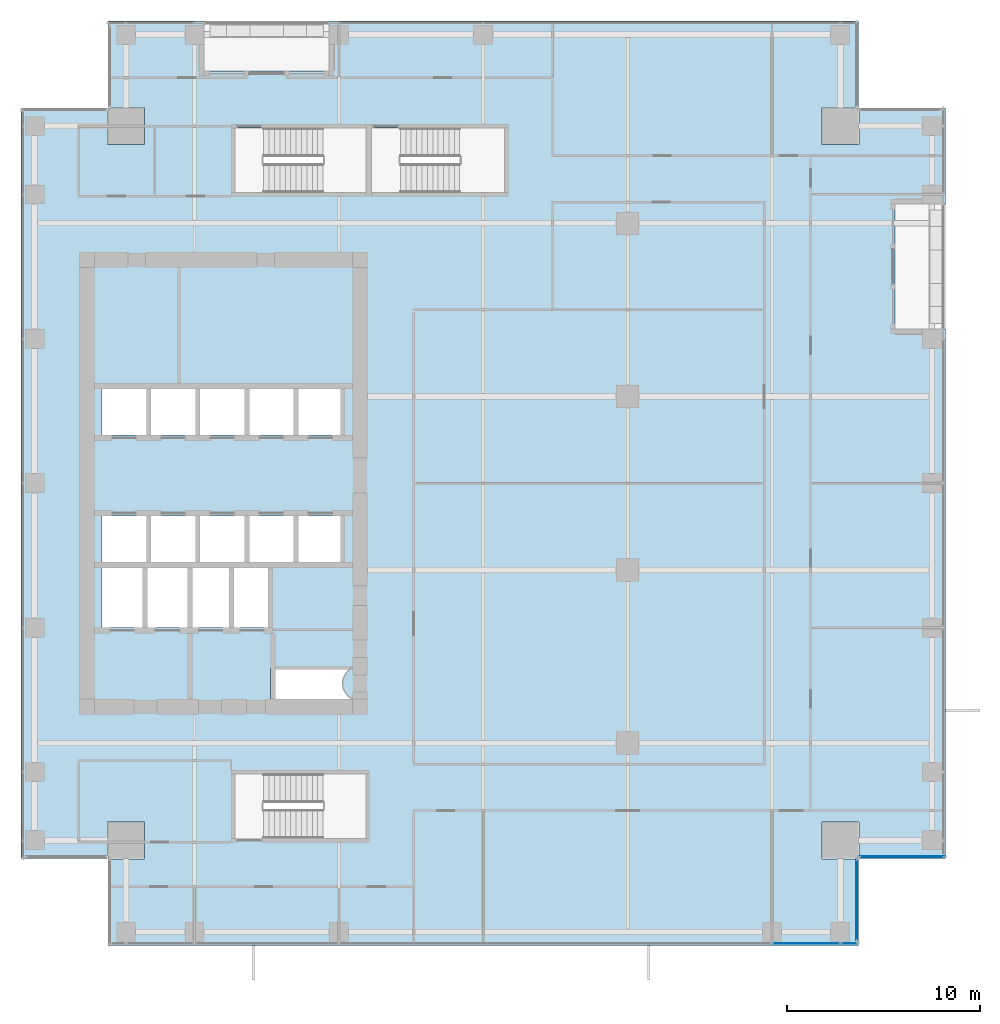
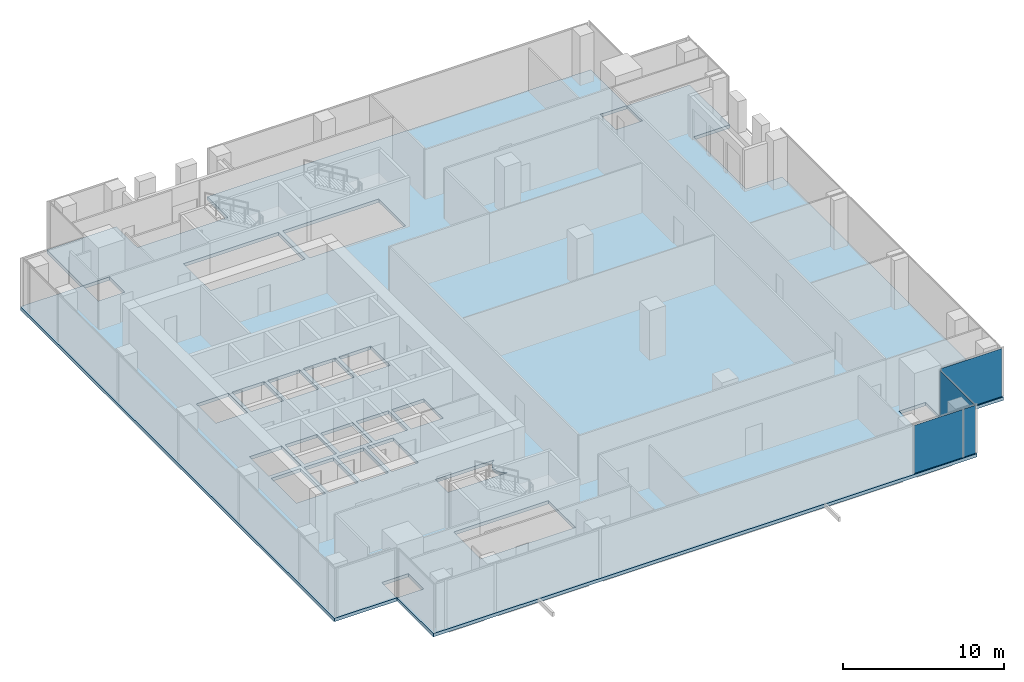
# One storey, part 30 of 40: 4 plates, 1 slab, 3 elements without a shape of their own.
"""IFC4 building model written with IfcOpenShell, lengths in metres."""

from ifc_helpers import new_model, si_unit, direction, frame, origin, origin_2d, place, context, subcontext, project, spatial, polyline, rectangle, outline, extrude, source, transform, mapped, material, layer, layer_set, type_object, element, aggregate, save


model = new_model("IFC4")

# Units and contexts
model_context = context("Model", 3, precision=1e-05, world=origin(), true_north=direction((0.0, 1.0)))
body_context = subcontext(model_context, "Body", "Model", "MODEL_VIEW")
ifc_project = project(units=[si_unit("LENGTHUNIT", "METRE"), si_unit("AREAUNIT", "SQUARE_METRE"), si_unit("VOLUMEUNIT", "CUBIC_METRE"), si_unit("PLANEANGLEUNIT", "RADIAN"), si_unit("MASSUNIT", "GRAM", prefix="KILO")], contexts=[model_context])

# Site, building, storey
site_placement = place(None, origin())
site = spatial("IfcSite", under=ifc_project, at=site_placement, CompositionType="ELEMENT")
building_placement = place(site_placement, origin())
building = spatial("IfcBuilding", under=site, at=building_placement, Name="Khomas Fold Tower", CompositionType="ELEMENT")
storey_placement = place(building_placement, frame((0.0, 0.0, 192.699951171875)))
storey = spatial("IfcBuildingStorey", under=building, at=storey_placement, Name="L42", CompositionType="ELEMENT", Elevation=192.699951171875)

# Slab
ifc_material_1 = material(Name="Concrete C40/50", Category="concrete")
ifc_layer_1 = layer(ifc_material_1, 0.25)
ifc_layer_set_1 = layer_set([ifc_layer_1], Name="Concrete C40/50")
slab_type = type_object("IfcSlabType", Name="RC floor slab 250", PredefinedType="FLOOR", material=ifc_layer_set_1)
shared_shape_1 = source(origin(), body_context, "Body", "SweptSolid", [
    extrude(outline(polyline([(3.0, 7.5), (7.4951171875, 7.5), (7.4951171875, 9.405029296875), (9.405029296875, 9.405029296875), (9.405029296875, 7.4951171875), (7.5, 7.4951171875), (7.5, 3.0), (46.5, 3.0), (46.5, 7.4951171875), (44.594970703125, 7.4951171875), (44.594970703125, 9.405029296875), (46.5048828125, 9.405029296875), (46.5048828125, 7.5), (51.0, 7.5), (51.0, 35.0), (48.39990234375, 35.0), (48.39990234375, 41.5), (51.0, 41.5), (51.0, 46.5), (46.5048828125, 46.5), (46.5048828125, 44.594970703125), (44.594970703125, 44.594970703125), (44.594970703125, 46.5048828125), (46.5, 46.5048828125), (46.5, 51.0), (19.0, 51.0), (19.0, 48.39990234375), (12.5, 48.39990234375), (12.5, 51.0), (7.5, 51.0), (7.5, 46.5048828125), (9.405029296875, 46.5048828125), (9.405029296875, 44.594970703125), (7.4951171875, 44.594970703125), (7.4951171875, 46.5), (3.0, 46.5), (3.0, 7.5)]), holes=[polyline([(7.199951171875, 19.5), (7.199951171875, 22.60009765625), (9.300048828125, 22.60009765625), (9.300048828125, 19.5), (7.199951171875, 19.5)]), polyline([(7.199951171875, 22.89990234375), (7.199951171875, 25.300048828125), (9.5, 25.300048828125), (9.5, 22.89990234375), (7.199951171875, 22.89990234375)]), polyline([(7.199951171875, 29.5), (7.199951171875, 31.89990234375), (9.5, 31.89990234375), (9.5, 29.5), (7.199951171875, 29.5)]), polyline([(9.550048828125, 19.5), (9.550048828125, 22.60009765625), (11.64990234375, 22.60009765625), (11.64990234375, 19.5), (9.550048828125, 19.5)]), polyline([(9.75, 22.89990234375), (9.75, 25.300048828125), (12.050048828125, 25.300048828125), (12.050048828125, 22.89990234375), (9.75, 22.89990234375)]), polyline([(9.75, 29.5), (9.75, 31.89990234375), (12.050048828125, 31.89990234375), (12.050048828125, 29.5), (9.75, 29.5)]), polyline([(11.89990234375, 19.5), (11.89990234375, 22.60009765625), (13.800048828125, 22.60009765625), (13.800048828125, 19.5), (11.89990234375, 19.5)]), polyline([(12.300048828125, 22.89990234375), (12.300048828125, 25.300048828125), (14.60009765625, 25.300048828125), (14.60009765625, 22.89990234375), (12.300048828125, 22.89990234375)]), polyline([(12.300048828125, 29.5), (12.300048828125, 31.89990234375), (14.60009765625, 31.89990234375), (14.60009765625, 29.5), (12.300048828125, 29.5)]), polyline([(14.050048828125, 19.5), (14.050048828125, 22.60009765625), (15.949951171875, 22.60009765625), (15.949951171875, 19.5), (14.050048828125, 19.5)]), polyline([(14.10009765625, 8.550048828125), (14.10009765625, 11.89990234375), (20.89990234375, 11.89990234375), (20.89990234375, 8.550048828125), (14.10009765625, 8.550048828125)]), polyline([(14.10009765625, 42.10009765625), (14.10009765625, 45.449951171875), (20.89990234375, 45.449951171875), (20.89990234375, 42.10009765625), (14.10009765625, 42.10009765625)]), polyline([(14.85009765625, 22.89990234375), (14.85009765625, 25.300048828125), (17.14990234375, 25.300048828125), (17.14990234375, 22.89990234375), (14.85009765625, 22.89990234375)]), polyline([(14.85009765625, 29.5), (14.85009765625, 31.89990234375), (17.14990234375, 31.89990234375), (17.14990234375, 29.5), (14.85009765625, 29.5)]), polyline([(15.949951171875, 15.800048828125), (15.949951171875, 17.39990234375), (20.18896484375, 17.39990234375), (20.17578125, 17.393798828125), (20.10009765625, 17.348388671875), (20.029052734375, 17.295654296875), (19.963623046875, 17.236328125), (19.904296875, 17.1708984375), (19.851806640625, 17.10009765625), (19.806396484375, 17.0244140625), (19.7685546875, 16.9443359375), (19.73876953125, 16.861328125), (19.71728515625, 16.775634765625), (19.704345703125, 16.688232421875), (19.699951171875, 16.60009765625), (19.704345703125, 16.51171875), (19.71728515625, 16.42431640625), (19.73876953125, 16.338623046875), (19.7685546875, 16.255615234375), (19.806396484375, 16.17578125), (19.851806640625, 16.10009765625), (19.904296875, 16.029052734375), (19.963623046875, 15.963623046875), (20.029052734375, 15.904296875), (20.10009765625, 15.851806640625), (20.17578125, 15.806396484375), (20.18896484375, 15.800048828125), (15.949951171875, 15.800048828125)]), polyline([(17.39990234375, 22.89990234375), (17.39990234375, 25.300048828125), (19.699951171875, 25.300048828125), (19.699951171875, 22.89990234375), (17.39990234375, 22.89990234375)]), polyline([(17.39990234375, 29.5), (17.39990234375, 31.89990234375), (19.699951171875, 31.89990234375), (19.699951171875, 29.5), (17.39990234375, 29.5)]), polyline([(21.199951171875, 42.10009765625), (21.199951171875, 45.449951171875), (28.10009765625, 45.449951171875), (28.10009765625, 42.10009765625), (21.199951171875, 42.10009765625)])]), origin(), (0.0, 0.0, 1.0), 0.25),
])
slab_placement = place(storey_placement, frame((0.0, 0.0, -0.25)))
element("IfcSlab", 1, at=slab_placement, inside=storey, type_object=slab_type, Name="S-L42", PredefinedType="FLOOR", context=body_context, shape_type="MappedRepresentation", body=[
    mapped(shared_shape_1, transform((0.0, 0.0, 0.0))),
])

# Curtain wall, plate
ifc_material_2 = material(Name="Aluminium framed double glazing", Category="aluminium")
curtain_wall_type = type_object("IfcCurtainWallType", Name="SK-Unitised clear-glass wall, office floors CW2", PredefinedType="NOTDEFINED", material=ifc_material_2)
curtain_wall_1_placement = place(storey_placement, origin())
curtain_wall_1 = element("IfcCurtainWall", 2, at=curtain_wall_1_placement, inside=storey, type_object=curtain_wall_type, Name="CW2 corner return L42 02", PredefinedType="NOTDEFINED")
ifc_material_3 = material(Name="Clear double glazed unit")
ifc_layer_2 = layer(ifc_material_3, 0.030029296875)
ifc_layer_set_2 = layer_set([ifc_layer_2], Name="Clear double glazed unit")
plate_type = type_object("IfcPlateType", Name="SK-Unitised clear-glass wall, office floors glass panel CW2-P", PredefinedType="CURTAIN_PANEL", material=ifc_layer_set_2)
shared_shape_2 = source(origin(), body_context, "Body", "SweptSolid", [
    extrude(rectangle(XDim=4.3798828125, YDim=0.030029296875, at=origin_2d()), origin(), (0.0, 0.0, 1.0), 3.639892578125),
])
plate_1_placement = place(storey_placement, frame((48.75, 7.60009765625, 0.0), z_axis=(0.0, 0.0, 1.0), x_axis=(1.0, 0.0, 0.0)))
plate_1 = element("IfcPlate", 3, at=plate_1_placement, type_object=plate_type, Name="CW2 glass panel 1", PredefinedType="CURTAIN_PANEL", context=body_context, shape_type="MappedRepresentation", body=[
    mapped(shared_shape_2, transform((0.0, 0.0, 0.0))),
])
aggregate(curtain_wall_1, [plate_1])

curtain_wall_2_placement = place(storey_placement, origin())
curtain_wall_2 = element("IfcCurtainWall", 4, at=curtain_wall_2_placement, inside=storey, type_object=curtain_wall_type, Name="CW2 run L42 00-0", PredefinedType="NOTDEFINED")
shared_shape_3 = source(origin(), body_context, "Body", "SweptSolid", [
    extrude(rectangle(XDim=3.489990234375, YDim=0.030029296875, at=origin_2d()), origin(), (0.0, 0.0, 1.0), 3.639892578125),
])
plate_2_placement = place(storey_placement, frame((43.77490234375, 3.10009765625, 0.0), z_axis=(0.0, 0.0, 1.0), x_axis=(1.0, 0.0, 0.0)))
plate_2 = element("IfcPlate", 5, at=plate_2_placement, type_object=plate_type, Name="CW2 glass panel 5", PredefinedType="CURTAIN_PANEL", context=body_context, shape_type="MappedRepresentation", body=[
    mapped(shared_shape_3, transform((0.0, 0.0, 0.0))),
])

curtain_wall_3_placement = place(storey_placement, origin())
curtain_wall_3 = element("IfcCurtainWall", 6, at=curtain_wall_3_placement, inside=storey, type_object=curtain_wall_type, Name="CW2 corner return L42 01", PredefinedType="NOTDEFINED")
shared_shape_4 = source(origin(), body_context, "Body", "SweptSolid", [
    extrude(rectangle(XDim=4.179931640625, YDim=0.030029296875, at=origin_2d()), origin(), (0.0, 0.0, 1.0), 3.639892578125),
])
plate_3_placement = place(storey_placement, frame((46.39990234375, 5.35009765625, 0.0), z_axis=(0.0, 0.0, 1.0), x_axis=(0.0, 1.0, 0.0)))
plate_3 = element("IfcPlate", 7, at=plate_3_placement, type_object=plate_type, Name="CW2 glass panel 1", PredefinedType="CURTAIN_PANEL", context=body_context, shape_type="MappedRepresentation", body=[
    mapped(shared_shape_4, transform((0.0, 0.0, 0.0))),
])
aggregate(curtain_wall_3, [plate_3])

# Plate
shared_shape_5 = source(origin(), body_context, "Body", "SweptSolid", [
    extrude(rectangle(XDim=0.860107421875, YDim=0.030029296875, at=origin_2d()), origin(), (0.0, 0.0, 1.0), 3.639892578125),
])
plate_4_placement = place(storey_placement, frame((46.010009765625, 3.10009765625, 0.0), z_axis=(0.0, 0.0, 1.0), x_axis=(1.0, 0.0, 0.0)))
plate_4 = element("IfcPlate", 8, at=plate_4_placement, type_object=plate_type, Name="CW2 glass panel 6", PredefinedType="CURTAIN_PANEL", context=body_context, shape_type="MappedRepresentation", body=[
    mapped(shared_shape_5, transform((0.0, 0.0, 0.0))),
])

aggregate(curtain_wall_2, [plate_2, plate_4])

save(model, "model.ifc")
